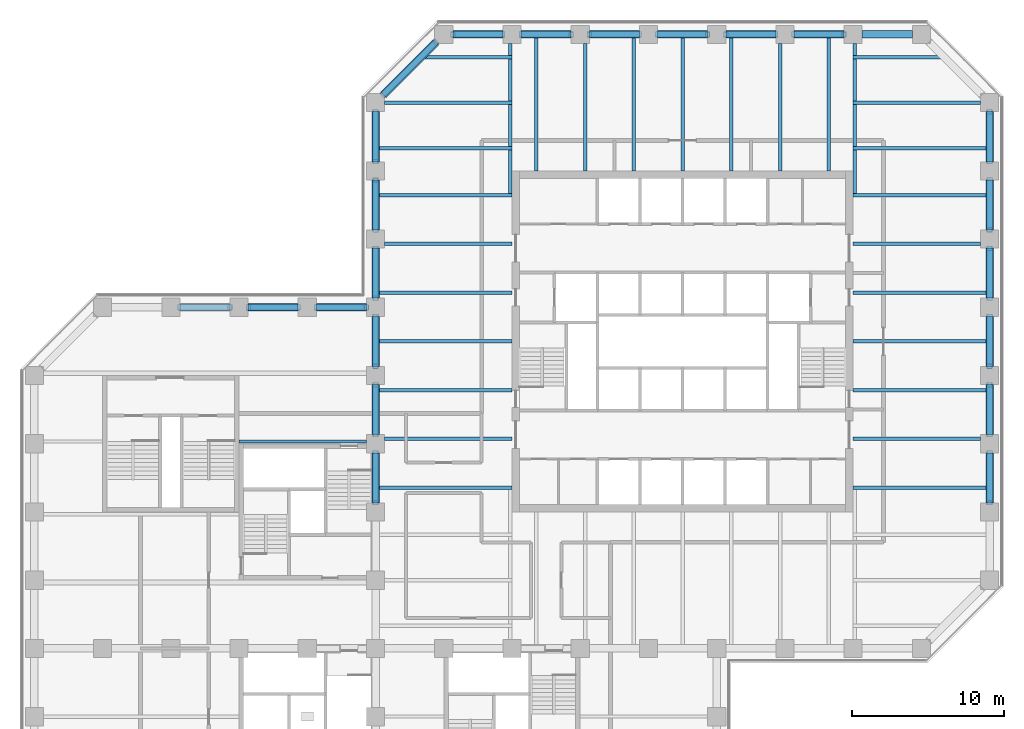
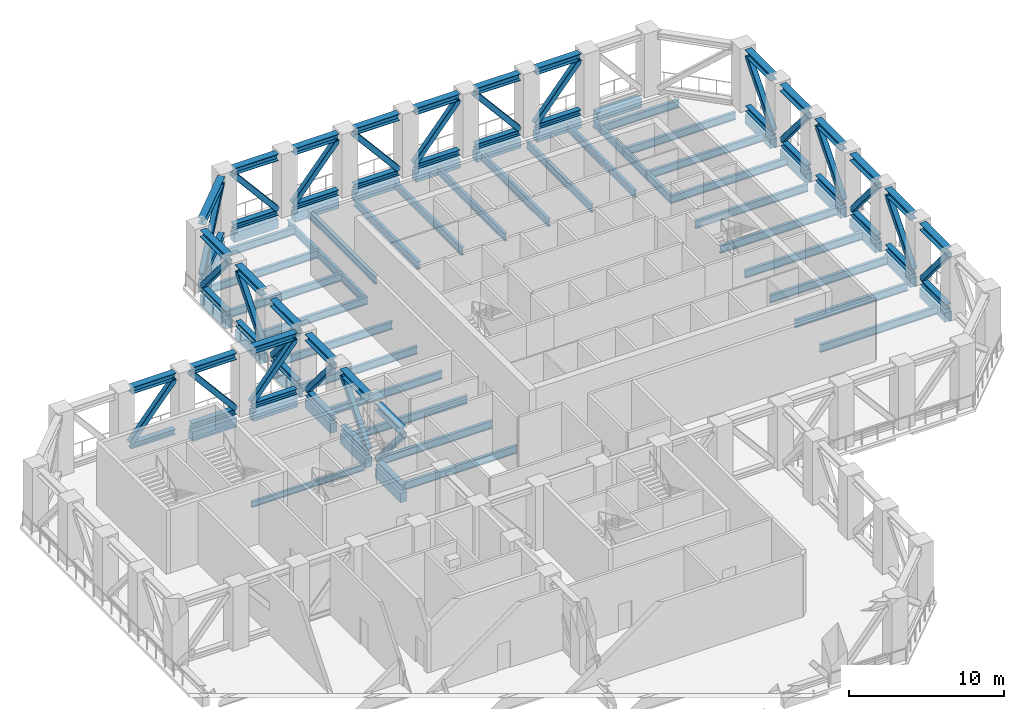
# One storey, part 3 of 16: 66 members, 52 beams.
"""IFC4 building model written with IfcOpenShell, lengths in metres."""

from ifc_helpers import new_model, si_unit, direction, frame, origin, origin_2d, place, context, subcontext, project, spatial, rectangle, hollow_rectangle, i_section, extrude, material, material_profile, profile_set, type_object, element, save


model = new_model("IFC4")

# Units and contexts
model_context = context("Model", 3, precision=1e-05, world=origin(), true_north=direction((0.0, 1.0)))
body_context = subcontext(model_context, "Body", "Model", "MODEL_VIEW")
ifc_project = project(units=[si_unit("LENGTHUNIT", "METRE"), si_unit("AREAUNIT", "SQUARE_METRE"), si_unit("VOLUMEUNIT", "CUBIC_METRE"), si_unit("PLANEANGLEUNIT", "RADIAN"), si_unit("MASSUNIT", "GRAM", prefix="KILO")], contexts=[model_context])

# Site, building, storey
site_placement = place(None, origin())
site = spatial("IfcSite", under=ifc_project, at=site_placement, CompositionType="ELEMENT")
building_placement = place(site_placement, origin())
building = spatial("IfcBuilding", under=site, at=building_placement, Name="Quoin Convention Tower", CompositionType="ELEMENT")
storey_placement = place(building_placement, frame((0.0, 0.0, 69.300048828125)))
storey = spatial("IfcBuildingStorey", under=building, at=storey_placement, Name="L18", CompositionType="ELEMENT", Elevation=69.300048828125)

# Members
ifc_material_1 = material(Name="Steel Grade 300", Category="steel")
ifc_material_profile_1 = material_profile(ifc_material_1, i_section(OverallWidth=0.39990234375, OverallDepth=0.422119140625, WebThickness=0.028076171875, FlangeThickness=0.035888671875, at=origin_2d()), Name="400WC303")
ifc_profile_set_1 = profile_set([ifc_material_profile_1], Name="Steel Grade 300")
member_type_1 = type_object("IfcMemberType", Name="400WC303", PredefinedType="CHORD", material=ifc_profile_set_1)
for number, where, z_axis, x_axis, name in (
    (1, (76.5, 50.10009765625, 0.2109375), (0.0, 1.0, 0.0), (-1.0, 0.0, 0.0), "Belt truss L18 bottom chord 76500_49500-76500_54000"),
    (2, (76.5, 54.60009765625, 0.2109375), (0.0, 1.0, 0.0), (-1.0, 0.0, 0.0), "Belt truss L18 bottom chord 76500_54000-76500_58500"),
    (3, (76.5, 59.10009765625, 0.2109375), (0.0, 1.0, 0.0), (-1.0, 0.0, 0.0), "Belt truss L18 bottom chord 76500_58500-76500_63000"),
    (4, (76.5, 63.60009765625, 0.2109375), (0.0, 1.0, 0.0), (-1.0, 0.0, 0.0), "Belt truss L18 bottom chord 76500_63000-76500_67500"),
    (5, (76.5, 68.10009765625, 0.2109375), (0.0, 1.0, 0.0), (-1.0, 0.0, 0.0), "Belt truss L18 bottom chord 76500_67500-76500_72000"),
    (6, (76.5, 72.60009765625, 0.2109375), (0.0, 1.0, 0.0), (-1.0, 0.0, 0.0), "Belt truss L18 bottom chord 76500_72000-76500_76500"),
    (7, (66.89990234375, 81.0, 0.2109375), (-1.0, 0.0, 0.0), (0.0, -1.0, 0.0), "Belt truss L18 bottom chord 67500_81000-63000_81000"),
    (8, (62.39990234375, 81.0, 0.2109375), (-1.0, 0.0, 0.0), (0.0, -1.0, 0.0), "Belt truss L18 bottom chord 63000_81000-58500_81000"),
    (9, (57.89990234375, 81.0, 0.2109375), (-1.0, 0.0, 0.0), (0.0, -1.0, 0.0), "Belt truss L18 bottom chord 58500_81000-54000_81000"),
    (10, (53.39990234375, 81.0, 0.2109375), (-1.0, 0.0, 0.0), (0.0, -1.0, 0.0), "Belt truss L18 bottom chord 54000_81000-49500_81000"),
    (11, (48.89990234375, 81.0, 0.2109375), (-1.0, 0.0, 0.0), (0.0, -1.0, 0.0), "Belt truss L18 bottom chord 49500_81000-45000_81000"),
    (12, (44.39990234375, 81.0, 0.2109375), (-1.0, 0.0, 0.0), (0.0, -1.0, 0.0), "Belt truss L18 bottom chord 45000_81000-40500_81000"),
):
    element("IfcMember", number, at=place(storey_placement, frame(where, z_axis=z_axis, x_axis=x_axis)), inside=storey, type_object=member_type_1, Name=name, PredefinedType="CHORD", context=body_context, shape_type="SweptSolid", body=[
        extrude(i_section(OverallWidth=0.39990234375, OverallDepth=0.422119140625, WebThickness=0.028076171875, FlangeThickness=0.035888671875, at=origin_2d()), origin(), (0.0, 0.0, 1.0), 3.2998046875),
    ])
member_1_placement = place(storey_placement, frame((39.98486328125, 80.48486328125, 0.2109375), z_axis=(-0.707106781187, -0.707106781187, 0.0), x_axis=(0.707106781187, -0.707106781187, 0.0)))
element("IfcMember", 13, at=member_1_placement, inside=storey, type_object=member_type_1, Name="Belt truss L18 bottom chord 40500_81000-36000_76500", PredefinedType="CHORD", context=body_context, shape_type="SweptSolid", body=[
    extrude(i_section(OverallWidth=0.39990234375, OverallDepth=0.422119140625, WebThickness=0.028076171875, FlangeThickness=0.035888671875, at=origin_2d()), origin(), (0.0, 0.0, 1.0), 4.906982421875),
])
for number, where, z_axis, x_axis, name in (
    (14, (36.0, 75.89990234375, 0.2109375), (0.0, -1.0, 0.0), (1.0, 0.0, 0.0), "Belt truss L18 bottom chord 36000_76500-36000_72000"),
    (15, (36.0, 71.39990234375, 0.2109375), (0.0, -1.0, 0.0), (1.0, 0.0, 0.0), "Belt truss L18 bottom chord 36000_72000-36000_67500"),
    (16, (36.0, 66.89990234375, 0.2109375), (0.0, -1.0, 0.0), (1.0, 0.0, 0.0), "Belt truss L18 bottom chord 36000_67500-36000_63000"),
    (17, (35.39990234375, 63.0, 0.2109375), (-1.0, 0.0, 0.0), (0.0, -1.0, 0.0), "Belt truss L18 bottom chord 36000_63000-31500_63000"),
    (18, (30.89990234375, 63.0, 0.2109375), (-1.0, 0.0, 0.0), (0.0, -1.0, 0.0), "Belt truss L18 bottom chord 31500_63000-27000_63000"),
    (19, (26.39990234375, 63.0, 0.2109375), (-1.0, 0.0, 0.0), (0.0, -1.0, 0.0), "Belt truss L18 bottom chord 27000_63000-22500_63000"),
    (20, (36.0, 50.10009765625, 0.2109375), (0.0, 1.0, 0.0), (-1.0, 0.0, 0.0), "Belt truss L18 bottom chord 36000_49500-36000_54000"),
    (21, (36.0, 54.60009765625, 0.2109375), (0.0, 1.0, 0.0), (-1.0, 0.0, 0.0), "Belt truss L18 bottom chord 36000_54000-36000_58500"),
    (22, (36.0, 59.10009765625, 0.2109375), (0.0, 1.0, 0.0), (-1.0, 0.0, 0.0), "Belt truss L18 bottom chord 36000_58500-36000_63000"),
):
    element("IfcMember", number, at=place(storey_placement, frame(where, z_axis=z_axis, x_axis=x_axis)), inside=storey, type_object=member_type_1, Name=name, PredefinedType="CHORD", context=body_context, shape_type="SweptSolid", body=[
        extrude(i_section(OverallWidth=0.39990234375, OverallDepth=0.422119140625, WebThickness=0.028076171875, FlangeThickness=0.035888671875, at=origin_2d()), origin(), (0.0, 0.0, 1.0), 3.2998046875),
    ])
ifc_material_2 = material(Name="Steel C450L0", Category="steel")
ifc_material_profile_2 = material_profile(ifc_material_2, hollow_rectangle(XDim=0.39990234375, YDim=0.39990234375, WallThickness=0.01611328125, InnerFilletRadius=0.02392578125, OuterFilletRadius=0.0400390625, at=origin_2d()), Name="400x400x16.0SHS")
ifc_profile_set_2 = profile_set([ifc_material_profile_2], Name="Steel C450L0")
member_type_2 = type_object("IfcMemberType", Name="400x400x16.0SHS", PredefinedType="BRACE", material=ifc_profile_set_2)
for number, where, z_axis, x_axis, name in (
    (23, (76.5, 53.39990234375, 0.421875), (0.0, -0.644564459061, 0.764549970973), (1.0, 0.0, 0.0), "Belt truss L18 diagonal 76500_49500-76500_54000"),
    (24, (76.5, 54.60009765625, 0.421875), (0.0, 0.644564459061, 0.764549970973), (-1.0, 0.0, 0.0), "Belt truss L18 diagonal 76500_54000-76500_58500"),
    (25, (76.5, 62.39990234375, 0.421875), (0.0, -0.644564459061, 0.764549970973), (1.0, 0.0, 0.0), "Belt truss L18 diagonal 76500_58500-76500_63000"),
    (26, (76.5, 63.60009765625, 0.421875), (0.0, 0.644564459061, 0.764549970973), (-1.0, 0.0, 0.0), "Belt truss L18 diagonal 76500_63000-76500_67500"),
    (27, (76.5, 71.39990234375, 0.421875), (0.0, -0.644564459061, 0.764549970973), (1.0, 0.0, 0.0), "Belt truss L18 diagonal 76500_67500-76500_72000"),
    (28, (76.5, 72.60009765625, 0.421875), (0.0, 0.644564459061, 0.764549970973), (-1.0, 0.0, 0.0), "Belt truss L18 diagonal 76500_72000-76500_76500"),
    (29, (63.60009765625, 81.0, 0.421875), (0.644564459061, 0.0, 0.764549970973), (0.0, 1.0, 0.0), "Belt truss L18 diagonal 67500_81000-63000_81000"),
    (30, (62.39990234375, 81.0, 0.421875), (-0.644564459061, 0.0, 0.764549970973), (0.0, -1.0, 0.0), "Belt truss L18 diagonal 63000_81000-58500_81000"),
    (31, (54.60009765625, 81.0, 0.421875), (0.644564459061, 0.0, 0.764549970973), (0.0, 1.0, 0.0), "Belt truss L18 diagonal 58500_81000-54000_81000"),
    (32, (53.39990234375, 81.0, 0.421875), (-0.644564459061, 0.0, 0.764549970973), (0.0, -1.0, 0.0), "Belt truss L18 diagonal 54000_81000-49500_81000"),
    (33, (45.60009765625, 81.0, 0.421875), (0.644564459061, 0.0, 0.764549970973), (0.0, 1.0, 0.0), "Belt truss L18 diagonal 49500_81000-45000_81000"),
    (34, (44.39990234375, 81.0, 0.421875), (-0.644564459061, 0.0, 0.764549970973), (0.0, -1.0, 0.0), "Belt truss L18 diagonal 45000_81000-40500_81000"),
):
    element("IfcMember", number, at=place(storey_placement, frame(where, z_axis=z_axis, x_axis=x_axis)), inside=storey, type_object=member_type_2, Name=name, PredefinedType="BRACE", context=body_context, shape_type="SweptSolid", body=[
        extrude(hollow_rectangle(XDim=0.39990234375, YDim=0.39990234375, WallThickness=0.01611328125, InnerFilletRadius=0.02392578125, OuterFilletRadius=0.0400390625, at=origin_2d()), origin(), (0.0, 0.0, 1.0), 5.119384765625),
    ])
member_2_placement = place(storey_placement, frame((36.51513671875, 77.01513671875, 0.421875), z_axis=(0.552788206144, 0.552788206144, 0.623578702568), x_axis=(-0.707106781187, 0.707106781187, 0.0)))
element("IfcMember", 35, at=member_2_placement, inside=storey, type_object=member_type_2, Name="Belt truss L18 diagonal 40500_81000-36000_76500", PredefinedType="BRACE", context=body_context, shape_type="SweptSolid", body=[
    extrude(hollow_rectangle(XDim=0.39990234375, YDim=0.39990234375, WallThickness=0.01611328125, InnerFilletRadius=0.02392578125, OuterFilletRadius=0.0400390625, at=origin_2d()), origin(), (0.0, 0.0, 1.0), 6.27685546875),
])
for number, where, z_axis, x_axis, name in (
    (36, (36.0, 75.89990234375, 0.421875), (0.0, -0.644564459061, 0.764549970973), (1.0, 0.0, 0.0), "Belt truss L18 diagonal 36000_76500-36000_72000"),
    (37, (36.0, 68.10009765625, 0.421875), (0.0, 0.644564459061, 0.764549970973), (-1.0, 0.0, 0.0), "Belt truss L18 diagonal 36000_72000-36000_67500"),
    (38, (36.0, 66.89990234375, 0.421875), (0.0, -0.644564459061, 0.764549970973), (1.0, 0.0, 0.0), "Belt truss L18 diagonal 36000_67500-36000_63000"),
    (39, (32.10009765625, 63.0, 0.421875), (0.644564459061, 0.0, 0.764549970973), (0.0, 1.0, 0.0), "Belt truss L18 diagonal 36000_63000-31500_63000"),
    (40, (30.89990234375, 63.0, 0.421875), (-0.644564459061, 0.0, 0.764549970973), (0.0, -1.0, 0.0), "Belt truss L18 diagonal 31500_63000-27000_63000"),
    (41, (23.10009765625, 63.0, 0.421875), (0.644564459061, 0.0, 0.764549970973), (0.0, 1.0, 0.0), "Belt truss L18 diagonal 27000_63000-22500_63000"),
    (42, (36.0, 53.39990234375, 0.421875), (0.0, -0.644564459061, 0.764549970973), (1.0, 0.0, 0.0), "Belt truss L18 diagonal 36000_49500-36000_54000"),
    (43, (36.0, 54.60009765625, 0.421875), (0.0, 0.644564459061, 0.764549970973), (-1.0, 0.0, 0.0), "Belt truss L18 diagonal 36000_54000-36000_58500"),
    (44, (36.0, 62.39990234375, 0.421875), (0.0, -0.644564459061, 0.764549970973), (1.0, 0.0, 0.0), "Belt truss L18 diagonal 36000_58500-36000_63000"),
):
    element("IfcMember", number, at=place(storey_placement, frame(where, z_axis=z_axis, x_axis=x_axis)), inside=storey, type_object=member_type_2, Name=name, PredefinedType="BRACE", context=body_context, shape_type="SweptSolid", body=[
        extrude(hollow_rectangle(XDim=0.39990234375, YDim=0.39990234375, WallThickness=0.01611328125, InnerFilletRadius=0.02392578125, OuterFilletRadius=0.0400390625, at=origin_2d()), origin(), (0.0, 0.0, 1.0), 5.119384765625),
    ])

# Beam
ifc_material_profile_3 = material_profile(ifc_material_1, i_section(OverallWidth=0.18994140625, OverallDepth=0.4541015625, WebThickness=0.008544921875, FlangeThickness=0.0126953125, FilletRadius=0.011474609375, at=origin_2d()), Name="460UB67.1")
ifc_profile_set_3 = profile_set([ifc_material_profile_3], Name="Steel Grade 300")
beam_type_1 = type_object("IfcBeamType", Name="460UB67.1", PredefinedType="BEAM", material=ifc_profile_set_3)
beam_1_placement = place(storey_placement, frame((27.0, 54.14990234375, -0.447021484375), z_axis=(1.0, 0.0, 0.0), x_axis=(0.0, 1.0, 0.0)))
element("IfcBeam", 45, at=beam_1_placement, inside=storey, type_object=beam_type_1, Name="gir-L18-ST2-3-1", PredefinedType="BEAM", context=body_context, shape_type="SweptSolid", body=[
    extrude(i_section(OverallWidth=0.18994140625, OverallDepth=0.4541015625, WebThickness=0.008544921875, FlangeThickness=0.0126953125, FilletRadius=0.011474609375, at=origin_2d()), origin(), (0.0, 0.0, 1.0), 8.39990234375),
])

# Members
ifc_material_profile_4 = material_profile(ifc_material_1, i_section(OverallWidth=0.5, OverallDepth=0.513916015625, WebThickness=0.02490234375, FlangeThickness=0.031982421875, at=origin_2d()), Name="500WC340")
ifc_profile_set_4 = profile_set([ifc_material_profile_4], Name="Steel Grade 300")
member_type_3 = type_object("IfcMemberType", Name="500WC340", PredefinedType="CHORD", material=ifc_profile_set_4)
for number, where, z_axis, x_axis, name in (
    (46, (76.5, 50.10009765625, 4.593017578125), (0.0, 1.0, 0.0), (-1.0, 0.0, 0.0), "Belt truss L18 top chord 76500_49500-76500_54000"),
    (47, (76.5, 54.60009765625, 4.593017578125), (0.0, 1.0, 0.0), (-1.0, 0.0, 0.0), "Belt truss L18 top chord 76500_54000-76500_58500"),
    (48, (76.5, 59.10009765625, 4.593017578125), (0.0, 1.0, 0.0), (-1.0, 0.0, 0.0), "Belt truss L18 top chord 76500_58500-76500_63000"),
    (49, (76.5, 63.60009765625, 4.593017578125), (0.0, 1.0, 0.0), (-1.0, 0.0, 0.0), "Belt truss L18 top chord 76500_63000-76500_67500"),
    (50, (76.5, 68.10009765625, 4.593017578125), (0.0, 1.0, 0.0), (-1.0, 0.0, 0.0), "Belt truss L18 top chord 76500_67500-76500_72000"),
    (51, (76.5, 72.60009765625, 4.593017578125), (0.0, 1.0, 0.0), (-1.0, 0.0, 0.0), "Belt truss L18 top chord 76500_72000-76500_76500"),
    (52, (66.89990234375, 81.0, 4.593017578125), (-1.0, 0.0, 0.0), (0.0, -1.0, 0.0), "Belt truss L18 top chord 67500_81000-63000_81000"),
    (53, (62.39990234375, 81.0, 4.593017578125), (-1.0, 0.0, 0.0), (0.0, -1.0, 0.0), "Belt truss L18 top chord 63000_81000-58500_81000"),
    (54, (57.89990234375, 81.0, 4.593017578125), (-1.0, 0.0, 0.0), (0.0, -1.0, 0.0), "Belt truss L18 top chord 58500_81000-54000_81000"),
    (55, (53.39990234375, 81.0, 4.593017578125), (-1.0, 0.0, 0.0), (0.0, -1.0, 0.0), "Belt truss L18 top chord 54000_81000-49500_81000"),
    (56, (48.89990234375, 81.0, 4.593017578125), (-1.0, 0.0, 0.0), (0.0, -1.0, 0.0), "Belt truss L18 top chord 49500_81000-45000_81000"),
    (57, (44.39990234375, 81.0, 4.593017578125), (-1.0, 0.0, 0.0), (0.0, -1.0, 0.0), "Belt truss L18 top chord 45000_81000-40500_81000"),
):
    element("IfcMember", number, at=place(storey_placement, frame(where, z_axis=z_axis, x_axis=x_axis)), inside=storey, type_object=member_type_3, Name=name, PredefinedType="CHORD", context=body_context, shape_type="SweptSolid", body=[
        extrude(i_section(OverallWidth=0.5, OverallDepth=0.513916015625, WebThickness=0.02490234375, FlangeThickness=0.031982421875, at=origin_2d()), origin(), (0.0, 0.0, 1.0), 3.2998046875),
    ])
member_3_placement = place(storey_placement, frame((39.98486328125, 80.48486328125, 4.593017578125), z_axis=(-0.707106781187, -0.707106781187, 0.0), x_axis=(0.707106781187, -0.707106781187, 0.0)))
element("IfcMember", 58, at=member_3_placement, inside=storey, type_object=member_type_3, Name="Belt truss L18 top chord 40500_81000-36000_76500", PredefinedType="CHORD", context=body_context, shape_type="SweptSolid", body=[
    extrude(i_section(OverallWidth=0.5, OverallDepth=0.513916015625, WebThickness=0.02490234375, FlangeThickness=0.031982421875, at=origin_2d()), origin(), (0.0, 0.0, 1.0), 4.906982421875),
])
for number, where, z_axis, x_axis, name in (
    (59, (36.0, 75.89990234375, 4.593017578125), (0.0, -1.0, 0.0), (1.0, 0.0, 0.0), "Belt truss L18 top chord 36000_76500-36000_72000"),
    (60, (36.0, 71.39990234375, 4.593017578125), (0.0, -1.0, 0.0), (1.0, 0.0, 0.0), "Belt truss L18 top chord 36000_72000-36000_67500"),
    (61, (36.0, 66.89990234375, 4.593017578125), (0.0, -1.0, 0.0), (1.0, 0.0, 0.0), "Belt truss L18 top chord 36000_67500-36000_63000"),
    (62, (35.39990234375, 63.0, 4.593017578125), (-1.0, 0.0, 0.0), (0.0, -1.0, 0.0), "Belt truss L18 top chord 36000_63000-31500_63000"),
    (63, (30.89990234375, 63.0, 4.593017578125), (-1.0, 0.0, 0.0), (0.0, -1.0, 0.0), "Belt truss L18 top chord 31500_63000-27000_63000"),
    (64, (26.39990234375, 63.0, 4.593017578125), (-1.0, 0.0, 0.0), (0.0, -1.0, 0.0), "Belt truss L18 top chord 27000_63000-22500_63000"),
    (65, (36.0, 50.10009765625, 4.593017578125), (0.0, 1.0, 0.0), (-1.0, 0.0, 0.0), "Belt truss L18 top chord 36000_49500-36000_54000"),
    (66, (36.0, 54.60009765625, 4.593017578125), (0.0, 1.0, 0.0), (-1.0, 0.0, 0.0), "Belt truss L18 top chord 36000_54000-36000_58500"),
    (67, (36.0, 59.10009765625, 4.593017578125), (0.0, 1.0, 0.0), (-1.0, 0.0, 0.0), "Belt truss L18 top chord 36000_58500-36000_63000"),
):
    element("IfcMember", number, at=place(storey_placement, frame(where, z_axis=z_axis, x_axis=x_axis)), inside=storey, type_object=member_type_3, Name=name, PredefinedType="CHORD", context=body_context, shape_type="SweptSolid", body=[
        extrude(i_section(OverallWidth=0.5, OverallDepth=0.513916015625, WebThickness=0.02490234375, FlangeThickness=0.031982421875, at=origin_2d()), origin(), (0.0, 0.0, 1.0), 3.2998046875),
    ])

# Beams
ifc_material_profile_5 = material_profile(ifc_material_1, i_section(OverallWidth=0.22802734375, OverallDepth=0.60205078125, WebThickness=0.010498046875, FlangeThickness=0.014892578125, FilletRadius=0.013916015625, at=origin_2d()), Name="610UB101")
ifc_profile_set_5 = profile_set([ifc_material_profile_5], Name="Steel Grade 300")
beam_type_2 = type_object("IfcBeamType", Name="610UB101", PredefinedType="BEAM", material=ifc_profile_set_5)
beam_2_placement = place(storey_placement, frame((36.25, 51.107177734375, -0.52099609375), z_axis=(1.0, 0.0, 0.0), x_axis=(0.0, 1.0, 0.0)))
element("IfcBeam", 68, at=beam_2_placement, inside=storey, type_object=beam_type_2, Name="bm-L18-T1W0", PredefinedType="BEAM", context=body_context, shape_type="SweptSolid", body=[
    extrude(i_section(OverallWidth=0.22802734375, OverallDepth=0.60205078125, WebThickness=0.010498046875, FlangeThickness=0.014892578125, FilletRadius=0.013916015625, at=origin_2d()), origin(), (0.0, 0.0, 1.0), 8.75),
])
beam_3_placement = place(storey_placement, frame((36.60009765625, 54.3212890625, -0.52099609375), z_axis=(1.0, 0.0, 0.0), x_axis=(0.0, 1.0, 0.0)))
element("IfcBeam", 69, at=beam_3_placement, inside=storey, type_object=beam_type_2, Name="bm-L18-T1W1", PredefinedType="BEAM", context=body_context, shape_type="SweptSolid", body=[
    extrude(i_section(OverallWidth=0.22802734375, OverallDepth=0.60205078125, WebThickness=0.010498046875, FlangeThickness=0.014892578125, FilletRadius=0.013916015625, at=origin_2d()), origin(), (0.0, 0.0, 1.0), 8.39990234375),
])
for number, where, z_axis, x_axis, name in (
    (70, (36.25, 57.53564453125, -0.52099609375), (1.0, 0.0, 0.0), (0.0, 1.0, 0.0), "bm-L18-T1W2"),
    (71, (36.25, 60.75, -0.52099609375), (1.0, 0.0, 0.0), (0.0, 1.0, 0.0), "bm-L18-T1W3"),
    (72, (36.25, 63.96435546875, -0.52099609375), (1.0, 0.0, 0.0), (0.0, 1.0, 0.0), "bm-L18-T1W4"),
):
    element("IfcBeam", number, at=place(storey_placement, frame(where, z_axis=z_axis, x_axis=x_axis)), inside=storey, type_object=beam_type_2, Name=name, PredefinedType="BEAM", context=body_context, shape_type="SweptSolid", body=[
        extrude(i_section(OverallWidth=0.22802734375, OverallDepth=0.60205078125, WebThickness=0.010498046875, FlangeThickness=0.014892578125, FilletRadius=0.013916015625, at=origin_2d()), origin(), (0.0, 0.0, 1.0), 8.75),
    ])
beam_4_placement = place(storey_placement, frame((36.60009765625, 67.1787109375, -0.52099609375), z_axis=(1.0, 0.0, 0.0), x_axis=(0.0, 1.0, 0.0)))
element("IfcBeam", 73, at=beam_4_placement, inside=storey, type_object=beam_type_2, Name="bm-L18-T1W5", PredefinedType="BEAM", context=body_context, shape_type="SweptSolid", body=[
    extrude(i_section(OverallWidth=0.22802734375, OverallDepth=0.60205078125, WebThickness=0.010498046875, FlangeThickness=0.014892578125, FilletRadius=0.013916015625, at=origin_2d()), origin(), (0.0, 0.0, 1.0), 8.39990234375),
])
for number, where, z_axis, x_axis, name in (
    (74, (36.25, 70.392822265625, -0.52099609375), (1.0, 0.0, 0.0), (0.0, 1.0, 0.0), "bm-L18-T1W6"),
    (75, (67.5, 51.107177734375, -0.52099609375), (1.0, 0.0, 0.0), (0.0, 1.0, 0.0), "bm-L18-T1E0"),
):
    element("IfcBeam", number, at=place(storey_placement, frame(where, z_axis=z_axis, x_axis=x_axis)), inside=storey, type_object=beam_type_2, Name=name, PredefinedType="BEAM", context=body_context, shape_type="SweptSolid", body=[
        extrude(i_section(OverallWidth=0.22802734375, OverallDepth=0.60205078125, WebThickness=0.010498046875, FlangeThickness=0.014892578125, FilletRadius=0.013916015625, at=origin_2d()), origin(), (0.0, 0.0, 1.0), 8.75),
    ])
beam_5_placement = place(storey_placement, frame((67.5, 54.3212890625, -0.52099609375), z_axis=(1.0, 0.0, 0.0), x_axis=(0.0, 1.0, 0.0)))
element("IfcBeam", 76, at=beam_5_placement, inside=storey, type_object=beam_type_2, Name="bm-L18-T1E1", PredefinedType="BEAM", context=body_context, shape_type="SweptSolid", body=[
    extrude(i_section(OverallWidth=0.22802734375, OverallDepth=0.60205078125, WebThickness=0.010498046875, FlangeThickness=0.014892578125, FilletRadius=0.013916015625, at=origin_2d()), origin(), (0.0, 0.0, 1.0), 8.39990234375),
])
for number, where, z_axis, x_axis, name in (
    (77, (67.5, 57.53564453125, -0.52099609375), (1.0, 0.0, 0.0), (0.0, 1.0, 0.0), "bm-L18-T1E2"),
    (78, (67.5, 60.75, -0.52099609375), (1.0, 0.0, 0.0), (0.0, 1.0, 0.0), "bm-L18-T1E3"),
    (79, (67.5, 63.96435546875, -0.52099609375), (1.0, 0.0, 0.0), (0.0, 1.0, 0.0), "bm-L18-T1E4"),
):
    element("IfcBeam", number, at=place(storey_placement, frame(where, z_axis=z_axis, x_axis=x_axis)), inside=storey, type_object=beam_type_2, Name=name, PredefinedType="BEAM", context=body_context, shape_type="SweptSolid", body=[
        extrude(i_section(OverallWidth=0.22802734375, OverallDepth=0.60205078125, WebThickness=0.010498046875, FlangeThickness=0.014892578125, FilletRadius=0.013916015625, at=origin_2d()), origin(), (0.0, 0.0, 1.0), 8.75),
    ])
beam_6_placement = place(storey_placement, frame((67.5, 67.1787109375, -0.52099609375), z_axis=(1.0, 0.0, 0.0), x_axis=(0.0, 1.0, 0.0)))
element("IfcBeam", 80, at=beam_6_placement, inside=storey, type_object=beam_type_2, Name="bm-L18-T1E5", PredefinedType="BEAM", context=body_context, shape_type="SweptSolid", body=[
    extrude(i_section(OverallWidth=0.22802734375, OverallDepth=0.60205078125, WebThickness=0.010498046875, FlangeThickness=0.014892578125, FilletRadius=0.013916015625, at=origin_2d()), origin(), (0.0, 0.0, 1.0), 8.39990234375),
])
for number, where, z_axis, x_axis, name in (
    (81, (67.5, 70.392822265625, -0.52099609375), (1.0, 0.0, 0.0), (0.0, 1.0, 0.0), "bm-L18-T1E6"),
    (82, (46.607177734375, 72.0, -0.52099609375), (0.0, 1.0, 0.0), (-1.0, 0.0, 0.0), "bm-L18-T1N0"),
):
    element("IfcBeam", number, at=place(storey_placement, frame(where, z_axis=z_axis, x_axis=x_axis)), inside=storey, type_object=beam_type_2, Name=name, PredefinedType="BEAM", context=body_context, shape_type="SweptSolid", body=[
        extrude(i_section(OverallWidth=0.22802734375, OverallDepth=0.60205078125, WebThickness=0.010498046875, FlangeThickness=0.014892578125, FilletRadius=0.013916015625, at=origin_2d()), origin(), (0.0, 0.0, 1.0), 8.75),
    ])
beam_7_placement = place(storey_placement, frame((49.8212890625, 72.0, -0.52099609375), z_axis=(0.0, 1.0, 0.0), x_axis=(-1.0, 0.0, 0.0)))
element("IfcBeam", 83, at=beam_7_placement, inside=storey, type_object=beam_type_2, Name="bm-L18-T1N1", PredefinedType="BEAM", context=body_context, shape_type="SweptSolid", body=[
    extrude(i_section(OverallWidth=0.22802734375, OverallDepth=0.60205078125, WebThickness=0.010498046875, FlangeThickness=0.014892578125, FilletRadius=0.013916015625, at=origin_2d()), origin(), (0.0, 0.0, 1.0), 8.39990234375),
])
for number, where, z_axis, x_axis, name in (
    (84, (53.03564453125, 72.0, -0.52099609375), (0.0, 1.0, 0.0), (-1.0, 0.0, 0.0), "bm-L18-T1N2"),
    (85, (56.25, 72.0, -0.52099609375), (0.0, 1.0, 0.0), (-1.0, 0.0, 0.0), "bm-L18-T1N3"),
    (86, (59.46435546875, 72.0, -0.52099609375), (0.0, 1.0, 0.0), (-1.0, 0.0, 0.0), "bm-L18-T1N4"),
):
    element("IfcBeam", number, at=place(storey_placement, frame(where, z_axis=z_axis, x_axis=x_axis)), inside=storey, type_object=beam_type_2, Name=name, PredefinedType="BEAM", context=body_context, shape_type="SweptSolid", body=[
        extrude(i_section(OverallWidth=0.22802734375, OverallDepth=0.60205078125, WebThickness=0.010498046875, FlangeThickness=0.014892578125, FilletRadius=0.013916015625, at=origin_2d()), origin(), (0.0, 0.0, 1.0), 8.75),
    ])
beam_8_placement = place(storey_placement, frame((62.6787109375, 72.0, -0.52099609375), z_axis=(0.0, 1.0, 0.0), x_axis=(-1.0, 0.0, 0.0)))
element("IfcBeam", 87, at=beam_8_placement, inside=storey, type_object=beam_type_2, Name="bm-L18-T1N5", PredefinedType="BEAM", context=body_context, shape_type="SweptSolid", body=[
    extrude(i_section(OverallWidth=0.22802734375, OverallDepth=0.60205078125, WebThickness=0.010498046875, FlangeThickness=0.014892578125, FilletRadius=0.013916015625, at=origin_2d()), origin(), (0.0, 0.0, 1.0), 8.39990234375),
])
beam_9_placement = place(storey_placement, frame((65.892822265625, 72.0, -0.52099609375), z_axis=(0.0, 1.0, 0.0), x_axis=(-1.0, 0.0, 0.0)))
element("IfcBeam", 88, at=beam_9_placement, inside=storey, type_object=beam_type_2, Name="bm-L18-T1N6", PredefinedType="BEAM", context=body_context, shape_type="SweptSolid", body=[
    extrude(i_section(OverallWidth=0.22802734375, OverallDepth=0.60205078125, WebThickness=0.010498046875, FlangeThickness=0.014892578125, FilletRadius=0.013916015625, at=origin_2d()), origin(), (0.0, 0.0, 1.0), 8.75),
])
beam_10_placement = place(storey_placement, frame((39.062744140625, 79.5, -0.52099609375), z_axis=(1.0, 0.0, 0.0), x_axis=(0.0, 1.0, 0.0)))
element("IfcBeam", 89, at=beam_10_placement, inside=storey, type_object=beam_type_2, Name="bm-L18-T1NW0", PredefinedType="BEAM", context=body_context, shape_type="SweptSolid", body=[
    extrude(i_section(OverallWidth=0.22802734375, OverallDepth=0.60205078125, WebThickness=0.010498046875, FlangeThickness=0.014892578125, FilletRadius=0.013916015625, at=origin_2d()), origin(), (0.0, 0.0, 1.0), 5.937255859375),
])
beam_11_placement = place(storey_placement, frame((36.60009765625, 76.5, -0.52099609375), z_axis=(1.0, 0.0, 0.0), x_axis=(0.0, 1.0, 0.0)))
element("IfcBeam", 90, at=beam_11_placement, inside=storey, type_object=beam_type_2, Name="bm-L18-T1NW1", PredefinedType="BEAM", context=body_context, shape_type="SweptSolid", body=[
    extrude(i_section(OverallWidth=0.22802734375, OverallDepth=0.60205078125, WebThickness=0.010498046875, FlangeThickness=0.014892578125, FilletRadius=0.013916015625, at=origin_2d()), origin(), (0.0, 0.0, 1.0), 8.39990234375),
])
beam_12_placement = place(storey_placement, frame((36.25, 73.5, -0.52099609375), z_axis=(1.0, 0.0, 0.0), x_axis=(0.0, 1.0, 0.0)))
element("IfcBeam", 91, at=beam_12_placement, inside=storey, type_object=beam_type_2, Name="bm-L18-T1NW2", PredefinedType="BEAM", context=body_context, shape_type="SweptSolid", body=[
    extrude(i_section(OverallWidth=0.22802734375, OverallDepth=0.60205078125, WebThickness=0.010498046875, FlangeThickness=0.014892578125, FilletRadius=0.013916015625, at=origin_2d()), origin(), (0.0, 0.0, 1.0), 8.75),
])
beam_13_placement = place(storey_placement, frame((67.5, 79.5, -0.52099609375), z_axis=(1.0, 0.0, 0.0), x_axis=(0.0, 1.0, 0.0)))
element("IfcBeam", 92, at=beam_13_placement, inside=storey, type_object=beam_type_2, Name="bm-L18-T1NE0", PredefinedType="BEAM", context=body_context, shape_type="SweptSolid", body=[
    extrude(i_section(OverallWidth=0.22802734375, OverallDepth=0.60205078125, WebThickness=0.010498046875, FlangeThickness=0.014892578125, FilletRadius=0.013916015625, at=origin_2d()), origin(), (0.0, 0.0, 1.0), 5.937255859375),
])
beam_14_placement = place(storey_placement, frame((67.5, 76.5, -0.52099609375), z_axis=(1.0, 0.0, 0.0), x_axis=(0.0, 1.0, 0.0)))
element("IfcBeam", 93, at=beam_14_placement, inside=storey, type_object=beam_type_2, Name="bm-L18-T1NE1", PredefinedType="BEAM", context=body_context, shape_type="SweptSolid", body=[
    extrude(i_section(OverallWidth=0.22802734375, OverallDepth=0.60205078125, WebThickness=0.010498046875, FlangeThickness=0.014892578125, FilletRadius=0.013916015625, at=origin_2d()), origin(), (0.0, 0.0, 1.0), 8.39990234375),
])
beam_15_placement = place(storey_placement, frame((67.5, 73.5, -0.52099609375), z_axis=(1.0, 0.0, 0.0), x_axis=(0.0, 1.0, 0.0)))
element("IfcBeam", 94, at=beam_15_placement, inside=storey, type_object=beam_type_2, Name="bm-L18-T1NE2", PredefinedType="BEAM", context=body_context, shape_type="SweptSolid", body=[
    extrude(i_section(OverallWidth=0.22802734375, OverallDepth=0.60205078125, WebThickness=0.010498046875, FlangeThickness=0.014892578125, FilletRadius=0.013916015625, at=origin_2d()), origin(), (0.0, 0.0, 1.0), 8.75),
])
ifc_material_profile_6 = material_profile(ifc_material_1, i_section(OverallWidth=0.22900390625, OverallDepth=0.612060546875, WebThickness=0.011962890625, FlangeThickness=0.01953125, FilletRadius=0.013916015625, at=origin_2d()), Name="610UB125")
ifc_profile_set_6 = profile_set([ifc_material_profile_6], Name="Steel Grade 300")
beam_type_3 = type_object("IfcBeamType", Name="610UB125", PredefinedType="BEAM", material=ifc_profile_set_6)
for number, where, z_axis, x_axis, name in (
    (95, (44.885498046875, 80.39990234375, -0.526123046875), (0.0, -1.0, 0.0), (1.0, 0.0, 0.0), "gir-L18-T1NW"),
    (96, (67.614501953125, 80.39990234375, -0.526123046875), (0.0, -1.0, 0.0), (1.0, 0.0, 0.0), "gir-L18-T1NE"),
):
    element("IfcBeam", number, at=place(storey_placement, frame(where, z_axis=z_axis, x_axis=x_axis)), inside=storey, type_object=beam_type_3, Name=name, PredefinedType="BEAM", context=body_context, shape_type="SweptSolid", body=[
        extrude(i_section(OverallWidth=0.22900390625, OverallDepth=0.612060546875, WebThickness=0.011962890625, FlangeThickness=0.01953125, FilletRadius=0.013916015625, at=origin_2d()), origin(), (0.0, 0.0, 1.0), 9.89306640625),
    ])
ifc_material_3 = material(Name="Concrete C80", Category="concrete")
ifc_material_profile_7 = material_profile(ifc_material_3, rectangle(XDim=0.5, YDim=0.75, at=origin_2d()), Name="RC 500x750")
ifc_profile_set_7 = profile_set([ifc_material_profile_7], Name="Concrete C80")
beam_type_4 = type_object("IfcBeamType", Name="RC 500x750 C80", PredefinedType="SPANDREL", material=ifc_profile_set_7)
for number, where, z_axis, x_axis, name in (
    (97, (76.5, 50.10009765625, -0.594970703125), (0.0, 1.0, 0.0), (-1.0, 0.0, 0.0), "spd-L18-76500_49500-76500_54000"),
    (98, (76.5, 54.60009765625, -0.594970703125), (0.0, 1.0, 0.0), (-1.0, 0.0, 0.0), "spd-L18-76500_54000-76500_58500"),
    (99, (76.5, 59.10009765625, -0.594970703125), (0.0, 1.0, 0.0), (-1.0, 0.0, 0.0), "spd-L18-76500_58500-76500_63000"),
    (100, (76.5, 63.60009765625, -0.594970703125), (0.0, 1.0, 0.0), (-1.0, 0.0, 0.0), "spd-L18-76500_63000-76500_67500"),
    (101, (76.5, 68.10009765625, -0.594970703125), (0.0, 1.0, 0.0), (-1.0, 0.0, 0.0), "spd-L18-76500_67500-76500_72000"),
    (102, (76.5, 72.60009765625, -0.594970703125), (0.0, 1.0, 0.0), (-1.0, 0.0, 0.0), "spd-L18-76500_72000-76500_76500"),
    (103, (71.39990234375, 81.0, -0.594970703125), (-1.0, 0.0, 0.0), (0.0, -1.0, 0.0), "spd-L18-72000_81000-67500_81000"),
    (104, (66.89990234375, 81.0, -0.594970703125), (-1.0, 0.0, 0.0), (0.0, -1.0, 0.0), "spd-L18-67500_81000-63000_81000"),
    (105, (62.39990234375, 81.0, -0.594970703125), (-1.0, 0.0, 0.0), (0.0, -1.0, 0.0), "spd-L18-63000_81000-58500_81000"),
    (106, (57.89990234375, 81.0, -0.594970703125), (-1.0, 0.0, 0.0), (0.0, -1.0, 0.0), "spd-L18-58500_81000-54000_81000"),
    (107, (53.39990234375, 81.0, -0.594970703125), (-1.0, 0.0, 0.0), (0.0, -1.0, 0.0), "spd-L18-54000_81000-49500_81000"),
    (108, (48.89990234375, 81.0, -0.594970703125), (-1.0, 0.0, 0.0), (0.0, -1.0, 0.0), "spd-L18-49500_81000-45000_81000"),
    (109, (44.39990234375, 81.0, -0.594970703125), (-1.0, 0.0, 0.0), (0.0, -1.0, 0.0), "spd-L18-45000_81000-40500_81000"),
):
    element("IfcBeam", number, at=place(storey_placement, frame(where, z_axis=z_axis, x_axis=x_axis)), inside=storey, type_object=beam_type_4, Name=name, PredefinedType="SPANDREL", context=body_context, shape_type="SweptSolid", body=[
        extrude(rectangle(XDim=0.5, YDim=0.75, at=origin_2d()), origin(), (0.0, 0.0, 1.0), 3.2998046875),
    ])
beam_16_placement = place(storey_placement, frame((39.98486328125, 80.48486328125, -0.594970703125), z_axis=(-0.707106781187, -0.707106781187, 0.0), x_axis=(0.707106781187, -0.707106781187, 0.0)))
element("IfcBeam", 110, at=beam_16_placement, inside=storey, type_object=beam_type_4, Name="spd-L18-40500_81000-36000_76500", PredefinedType="SPANDREL", context=body_context, shape_type="SweptSolid", body=[
    extrude(rectangle(XDim=0.5, YDim=0.75, at=origin_2d()), origin(), (0.0, 0.0, 1.0), 4.906982421875),
])
for number, where, z_axis, x_axis, name in (
    (111, (36.0, 75.89990234375, -0.594970703125), (0.0, -1.0, 0.0), (1.0, 0.0, 0.0), "spd-L18-36000_76500-36000_72000"),
    (112, (36.0, 71.39990234375, -0.594970703125), (0.0, -1.0, 0.0), (1.0, 0.0, 0.0), "spd-L18-36000_72000-36000_67500"),
    (113, (36.0, 66.89990234375, -0.594970703125), (0.0, -1.0, 0.0), (1.0, 0.0, 0.0), "spd-L18-36000_67500-36000_63000"),
    (114, (35.39990234375, 63.0, -0.594970703125), (-1.0, 0.0, 0.0), (0.0, -1.0, 0.0), "spd-L18-36000_63000-31500_63000"),
    (115, (30.89990234375, 63.0, -0.594970703125), (-1.0, 0.0, 0.0), (0.0, -1.0, 0.0), "spd-L18-31500_63000-27000_63000"),
    (116, (36.0, 50.10009765625, -0.594970703125), (0.0, 1.0, 0.0), (-1.0, 0.0, 0.0), "spd-L18-36000_49500-36000_54000"),
    (117, (36.0, 54.60009765625, -0.594970703125), (0.0, 1.0, 0.0), (-1.0, 0.0, 0.0), "spd-L18-36000_54000-36000_58500"),
    (118, (36.0, 59.10009765625, -0.594970703125), (0.0, 1.0, 0.0), (-1.0, 0.0, 0.0), "spd-L18-36000_58500-36000_63000"),
):
    element("IfcBeam", number, at=place(storey_placement, frame(where, z_axis=z_axis, x_axis=x_axis)), inside=storey, type_object=beam_type_4, Name=name, PredefinedType="SPANDREL", context=body_context, shape_type="SweptSolid", body=[
        extrude(rectangle(XDim=0.5, YDim=0.75, at=origin_2d()), origin(), (0.0, 0.0, 1.0), 3.2998046875),
    ])

save(model, "model.ifc")
